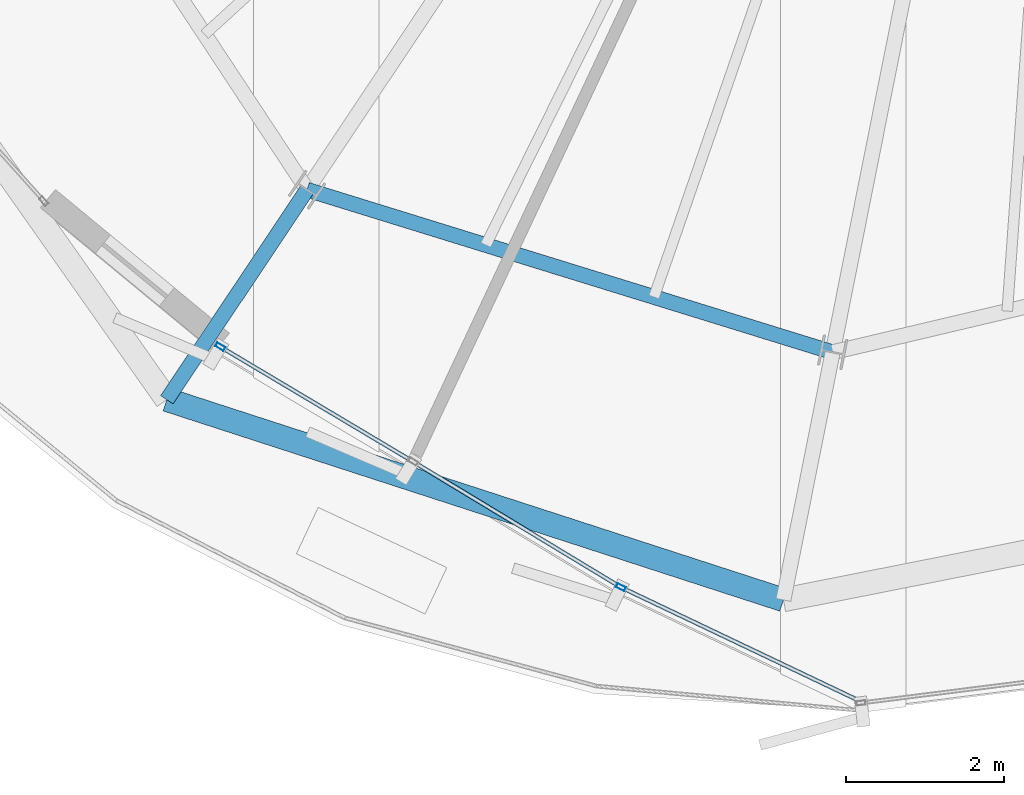
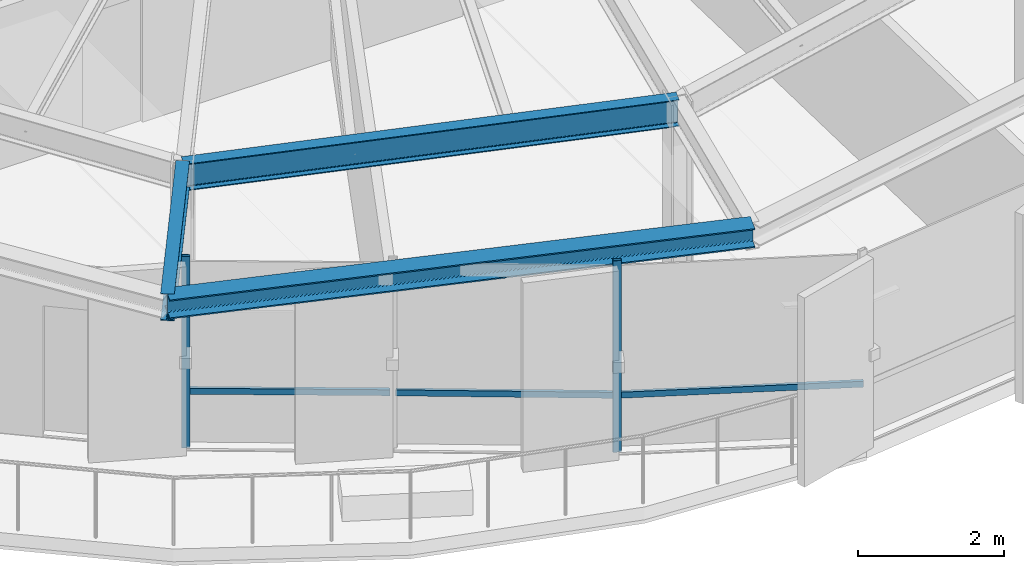
# One storey, part 3 of 34: 5 members, 3 beams, 1 element without a shape of its own.
"""IFC4 building model written with IfcOpenShell, lengths in metres."""

from ifc_helpers import new_model, si_unit, direction, frame, origin, origin_2d, place, context, subcontext, project, spatial, hollow_rectangle, i_section, extrude, source, transform, mapped, material, layer, layer_set, material_profile, profile_set, type_object, element, aggregate, save


model = new_model("IFC4")

# Units and contexts
model_context = context("Model", 3, precision=1e-05, world=origin(), true_north=direction((0.0, 1.0)))
body_context = subcontext(model_context, "Body", "Model", "MODEL_VIEW")
ifc_project = project(units=[si_unit("LENGTHUNIT", "METRE"), si_unit("AREAUNIT", "SQUARE_METRE"), si_unit("VOLUMEUNIT", "CUBIC_METRE"), si_unit("PLANEANGLEUNIT", "RADIAN"), si_unit("MASSUNIT", "GRAM", prefix="KILO"), si_unit("THERMODYNAMICTEMPERATUREUNIT", "KELVIN")], contexts=[model_context])

# Site, building, storey
site_placement = place(None, origin())
site = spatial("IfcSite", under=ifc_project, at=site_placement, CompositionType="ELEMENT")
building_placement = place(site_placement, origin())
building = spatial("IfcBuilding", under=site, at=building_placement, Name="Kethvar Cultural Tower", CompositionType="ELEMENT")
storey_placement = place(building_placement, frame((0.0, 0.0, 262.89990234375)))
storey = spatial("IfcBuildingStorey", under=building, at=storey_placement, Name="L69", CompositionType="ELEMENT", Elevation=262.89990234375)

# Beams
ifc_material_1 = material(Name="Steel S355J2", Category="steel")
ifc_material_profile_1 = material_profile(ifc_material_1, i_section(OverallWidth=0.18994140625, OverallDepth=0.449951171875, WebThickness=0.009521484375, FlangeThickness=0.0146484375, FilletRadius=0.02099609375, at=origin_2d()), Name="Steel S355J2 — IPE450")
ifc_profile_set_1 = profile_set([ifc_material_profile_1], Name="Steel S355J2 — IPE450")
beam_type_1 = type_object("IfcBeamType", Name="BM-IPE450", PredefinedType="BEAM", material=ifc_profile_set_1)
shared_shape_1 = source(origin(), body_context, "Body", "SweptSolid", [
    extrude(i_section(OverallWidth=0.18994140625, OverallDepth=0.449951171875, WebThickness=0.009521484375, FlangeThickness=0.0146484375, FilletRadius=0.02099609375, at=origin_2d()), origin(), (0.0, 0.0, 1.0), 3.199951171875),
])
beam_1_placement = place(storey_placement, frame((36.731201171875, 12.73095703125, 2.983154296875), z_axis=(-0.555580212716, -0.831462943996, 0.0), x_axis=(0.831462943996, -0.555580212716, 0.0)))
element("IfcBeam", 1, at=beam_1_placement, inside=storey, type_object=beam_type_1, Name="L69 Perimeter Cantilever Beam RC-11", PredefinedType="BEAM", context=body_context, shape_type="MappedRepresentation", body=[
    mapped(shared_shape_1, transform((0.0, 0.0, 0.0), scale=1.0)),
])
shared_shape_2 = source(origin(), body_context, "Body", "SweptSolid", [
    extrude(i_section(OverallWidth=0.18994140625, OverallDepth=0.449951171875, WebThickness=0.009521484375, FlangeThickness=0.0146484375, FilletRadius=0.02099609375, at=origin_2d()), origin(), (0.0, 0.0, 1.0), 6.97265625),
])
beam_2_placement = place(storey_placement, frame((36.731201171875, 12.73095703125, 2.983154296875), z_axis=(0.955381444404, -0.295374839295, 0.0), x_axis=(0.295374839295, 0.955381444404, 0.0)))
element("IfcBeam", 2, at=beam_2_placement, inside=storey, type_object=beam_type_1, Name="L69 Column Ring Tie Beam CR-11", PredefinedType="BEAM", context=body_context, shape_type="MappedRepresentation", body=[
    mapped(shared_shape_2, transform((0.0, 0.0, 0.0), scale=1.0)),
])
ifc_material_profile_2 = material_profile(ifc_material_1, i_section(OverallWidth=0.300048828125, OverallDepth=0.320068359375, WebThickness=0.011474609375, FlangeThickness=0.0205078125, FilletRadius=0.027099609375, at=origin_2d()), Name="Steel S355J2 — HEB320")
ifc_profile_set_2 = profile_set([ifc_material_profile_2], Name="Steel S355J2 — HEB320")
beam_type_2 = type_object("IfcBeamType", Name="BM-SP320", PredefinedType="SPANDREL", material=ifc_profile_set_2)
shared_shape_3 = source(origin(), body_context, "Body", "SweptSolid", [
    extrude(i_section(OverallWidth=0.300048828125, OverallDepth=0.320068359375, WebThickness=0.011474609375, FlangeThickness=0.0205078125, FilletRadius=0.027099609375, at=origin_2d()), origin(), (0.0, 0.0, 1.0), 8.216796875),
])
beam_3_placement = place(storey_placement, frame((34.953369140625, 10.0703125, 3.048095703125), z_axis=(0.951117661456, -0.30882874553, 0.0), x_axis=(0.30882874553, 0.951117661456, 0.0)))
element("IfcBeam", 3, at=beam_3_placement, inside=storey, type_object=beam_type_2, Name="L69 Perimeter Spandrel Beam SP-11", PredefinedType="SPANDREL", context=body_context, shape_type="MappedRepresentation", body=[
    mapped(shared_shape_3, transform((0.0, 0.0, 0.0), scale=1.0)),
])

# Curtain wall, members
ifc_material_2 = material(Name="Aluminium 6063-T6", Category="aluminium")
ifc_layer = layer(ifc_material_2, 0.179931640625, Name="Aluminium 6063-T6", Category="aluminium")
ifc_layer_set = layer_set([ifc_layer], Name="Aluminium 6063-T6 (180 mm)")
curtain_wall_type = type_object("IfcCurtainWallType", Name="CW-SYS-05-Z56", PredefinedType="NOTDEFINED", material=ifc_layer_set)
curtain_wall_placement = place(storey_placement, origin())
curtain_wall = element("IfcCurtainWall", 4, at=curtain_wall_placement, inside=storey, type_object=curtain_wall_type, Name="L69 Curtain Wall Run 04", PredefinedType="NOTDEFINED")
ifc_material_profile_3 = material_profile(ifc_material_2, hollow_rectangle(XDim=0.054931640625, YDim=0.1201171875, WallThickness=0.00390625, at=origin_2d()), Name="Aluminium 6063-T6 — RHS120x55x4")
ifc_profile_set_3 = profile_set([ifc_material_profile_3], Name="Aluminium 6063-T6 — RHS120x55x4")
member_type_1 = type_object("IfcMemberType", Name="CW-SYS-05-Z56-MUL", PredefinedType="MULLION", material=ifc_profile_set_3)
shared_shape_4 = source(origin(), body_context, "Body", "SweptSolid", [
    extrude(hollow_rectangle(XDim=0.054931640625, YDim=0.1201171875, WallThickness=0.00390625, at=origin_2d()), origin(), (0.0, 0.0, 1.0), 3.210205078125),
])
member_1_placement = place(storey_placement, frame((35.6318359375, 10.740966796875, 0.0), z_axis=(0.0, 0.0, 1.0), x_axis=(0.511847959874, 0.859076053661, 0.0)))
member_1 = element("IfcMember", 5, at=member_1_placement, type_object=member_type_1, Name="CW-L69-R04 Mullion 1", PredefinedType="MULLION", context=body_context, shape_type="MappedRepresentation", body=[
    mapped(shared_shape_4, transform((0.0, 0.0, 0.0), scale=1.0)),
])
member_2_placement = place(storey_placement, frame((40.708984375, 7.692626953125, 0.0), z_axis=(0.0, 0.0, 1.0), x_axis=(0.429896626808, 0.902878114841, 0.0)))
member_2 = element("IfcMember", 6, at=member_2_placement, type_object=member_type_1, Name="CW-L69-R04 Mullion 3", PredefinedType="MULLION", context=body_context, shape_type="MappedRepresentation", body=[
    mapped(shared_shape_4, transform((0.0, 0.0, 0.0), scale=1.0)),
])
ifc_material_profile_4 = material_profile(ifc_material_2, hollow_rectangle(XDim=0.050048828125, YDim=0.10009765625, WallThickness=0.00390625, at=origin_2d()), Name="Aluminium 6063-T6 — RHS100x50x4")
ifc_profile_set_4 = profile_set([ifc_material_profile_4], Name="Aluminium 6063-T6 — RHS100x50x4")
member_type_2 = type_object("IfcMemberType", Name="CW-SYS-05-Z56-TRN", PredefinedType="USERDEFINED", material=ifc_profile_set_4)
shared_shape_5 = source(origin(), body_context, "Body", "SweptSolid", [
    extrude(hollow_rectangle(XDim=0.050048828125, YDim=0.10009765625, WallThickness=0.00390625, at=origin_2d()), origin(), (0.0, 0.0, 1.0), 2.7998046875),
])
member_3_placement = place(storey_placement, frame((35.635009765625, 10.739013671875, 0.9501953125), z_axis=(0.859112148955, -0.511787373347, 0.0), x_axis=(0.511787373347, 0.859112148955, 0.0)))
member_3 = element("IfcMember", 7, at=member_3_placement, type_object=member_type_2, Name="CW-L69-R04 Transom 1", ObjectType="TRANSOM", PredefinedType="USERDEFINED", context=body_context, shape_type="MappedRepresentation", body=[
    mapped(shared_shape_5, transform((0.0, 0.0, 0.0), scale=1.0)),
])
shared_shape_6 = source(origin(), body_context, "Body", "SweptSolid", [
    extrude(hollow_rectangle(XDim=0.050048828125, YDim=0.10009765625, WallThickness=0.00390625, at=origin_2d()), origin(), (0.0, 0.0, 1.0), 3.009033203125),
])
member_4_placement = place(storey_placement, frame((38.108642578125, 9.264892578125, 0.9501953125), z_axis=(0.855834729724, -0.517249374478, 0.0), x_axis=(0.517249374478, 0.855834729724, 0.0)))
member_4 = element("IfcMember", 8, at=member_4_placement, type_object=member_type_2, Name="CW-L69-R04 Transom 2", ObjectType="TRANSOM", PredefinedType="USERDEFINED", context=body_context, shape_type="MappedRepresentation", body=[
    mapped(shared_shape_6, transform((0.0, 0.0, 0.0), scale=1.0)),
])
shared_shape_7 = source(origin(), body_context, "Body", "SweptSolid", [
    extrude(hollow_rectangle(XDim=0.050048828125, YDim=0.10009765625, WallThickness=0.00390625, at=origin_2d()), origin(), (0.0, 0.0, 1.0), 3.353271484375),
])
member_5_placement = place(storey_placement, frame((40.74462890625, 7.67578125, 0.9501953125), z_axis=(0.902867247549, -0.429919449785, 0.0), x_axis=(0.429919449785, 0.902867247549, 0.0)))
member_5 = element("IfcMember", 9, at=member_5_placement, type_object=member_type_2, Name="CW-L69-R04 Transom 3", ObjectType="TRANSOM", PredefinedType="USERDEFINED", context=body_context, shape_type="MappedRepresentation", body=[
    mapped(shared_shape_7, transform((0.0, 0.0, 0.0), scale=1.0)),
])
aggregate(curtain_wall, [member_1, member_2, member_3, member_4, member_5])

save(model, "model.ifc")
